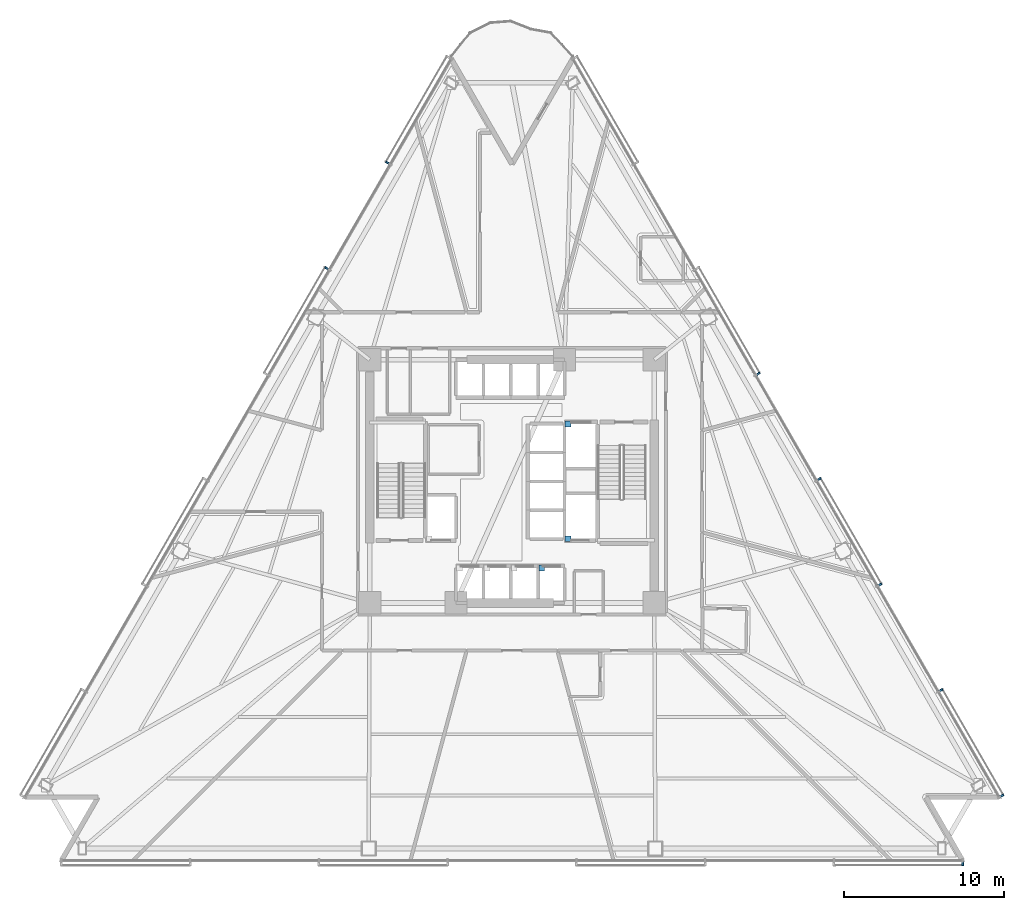
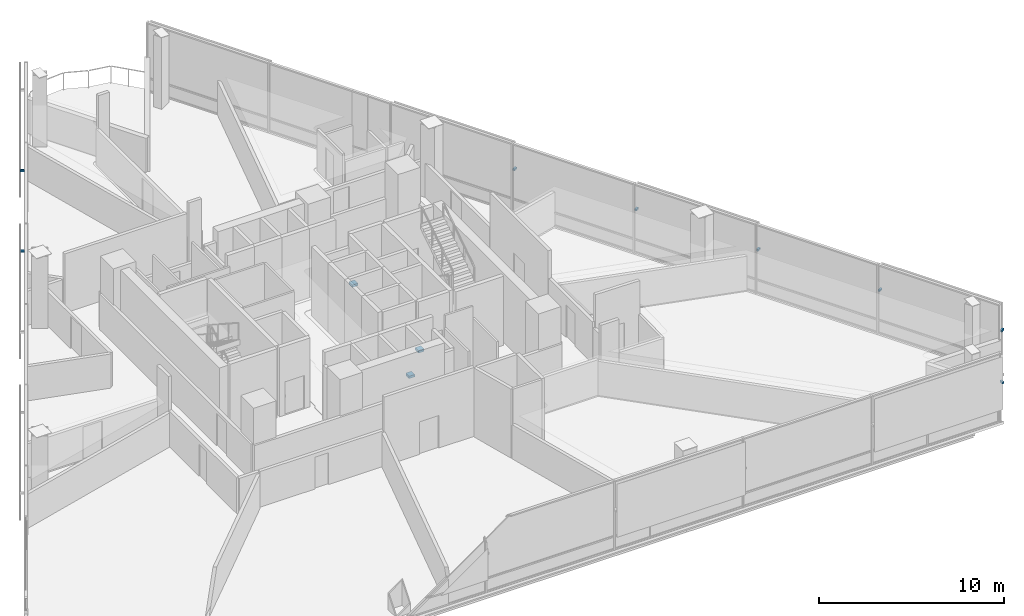
# One storey, part 12 of 17: 11 discrete accessories.
"""IFC4 building model written with IfcOpenShell, lengths in metres."""

from ifc_helpers import new_model, si_unit, direction, frame, origin, origin_2d, place, context, subcontext, project, spatial, rectangle, extrude, material, type_object, element, save


model = new_model("IFC4")

# Units and contexts
model_context = context("Model", 3, precision=1e-05, world=origin(), true_north=direction((0.0, 1.0)))
body_context = subcontext(model_context, "Body", "Model", "MODEL_VIEW")
ifc_project = project(units=[si_unit("LENGTHUNIT", "METRE"), si_unit("AREAUNIT", "SQUARE_METRE"), si_unit("VOLUMEUNIT", "CUBIC_METRE"), si_unit("PLANEANGLEUNIT", "RADIAN"), si_unit("MASSUNIT", "GRAM", prefix="KILO")], contexts=[model_context])

# Site, building, storey
site_placement = place(None, origin())
site = spatial("IfcSite", under=ifc_project, at=site_placement, CompositionType="ELEMENT")
building_placement = place(site_placement, origin())
building = spatial("IfcBuilding", under=site, at=building_placement, Name="Tharavind Bronze Gate", CompositionType="ELEMENT")
storey_placement = place(building_placement, frame((0.0, 0.0, 52.25)))
storey = spatial("IfcBuildingStorey", under=building, at=storey_placement, Name="L12", CompositionType="ELEMENT", Elevation=52.25)

# Discrete accessories
ifc_material_1 = material(Name="Galvanised Steel S355", Category="steel")
discrete_accessory_type_1 = type_object("IfcDiscreteAccessoryType", Name="LIFT GUIDE RAIL BRACKET", PredefinedType="BRACKET", material=ifc_material_1)
for number, where, z_axis, x_axis, name in (
    (1, (1.857421875, -5.419921875, 1.1201171875), (0.0, 0.0, 1.0), (1.0, 0.0, 0.0), "Lift PL4 guide rail bracket at L12"),
    (2, (3.5, 3.580078125, 1.1201171875), (0.0, 0.0, 1.0), (1.0, 0.0, 0.0), "Lift FFL2 guide rail bracket at L12"),
    (3, (3.5, -3.580078125, 1.1201171875), (0.0, 0.0, 1.0), (1.0, 0.0, 0.0), "Lift SVL1 guide rail bracket at L12"),
):
    element("IfcDiscreteAccessory", number, at=place(storey_placement, frame(where, z_axis=z_axis, x_axis=x_axis)), inside=storey, type_object=discrete_accessory_type_1, Name=name, PredefinedType="BRACKET", context=body_context, shape_type="SweptSolid", body=[
        extrude(rectangle(XDim=0.360107421875, YDim=0.360107421875, at=origin_2d()), origin(), (0.0, 0.0, 1.0), 0.159912109375),
    ])
ifc_material_2 = material(Name="Stainless Steel 316", Category="steel")
discrete_accessory_type_2 = type_object("IfcDiscreteAccessoryType", Name="SOLAR SCREEN STANDOFF BRACKET", PredefinedType="BRACKET", material=ifc_material_2)
for number, where, z_axis, x_axis, name in (
    (4, (-7.78125, 19.922607421875, 2.669921875), (0.0, 0.0, 1.0), (-0.500001511499, -0.866024531118, 0.0), "CW-L12-S1 solar screen bracket 1.2"),
    (5, (-11.589111328125, 13.326904296875, 2.669921875), (0.0, 0.0, 1.0), (-0.500001511499, -0.866024531118, 0.0), "CW-L12-S1 solar screen bracket 3.1"),
    (6, (28.17578125, -23.89990234375, 2.669921875), (0.0, 0.0, 1.0), (1.0, 0.0, 0.0), "CW-L12-S2 solar screen bracket 7.2"),
    (7, (30.62890625, -19.65087890625, 2.669921875), (0.0, 0.0, 1.0), (-0.500001511499, 0.866024531118, 0.0), "CW-L12-S3 solar screen bracket 1.1"),
    (8, (26.821044921875, -13.055419921875, 2.669921875), (0.0, 0.0, 1.0), (-0.500001511499, 0.866024531118, 0.0), "CW-L12-S3 solar screen bracket 1.2"),
    (9, (23.01318359375, -6.459716796875, 2.669921875), (0.0, 0.0, 1.0), (-0.500001511499, 0.866024531118, 0.0), "CW-L12-S3 solar screen bracket 3.1"),
    (10, (19.205078125, 0.135986328125, 2.669921875), (0.0, 0.0, 1.0), (-0.500001511499, 0.866024531118, 0.0), "CW-L12-S3 solar screen bracket 3.2"),
    (11, (15.397216796875, 6.7314453125, 2.669921875), (0.0, 0.0, 1.0), (-0.500001511499, 0.866024531118, 0.0), "CW-L12-S3 solar screen bracket 5.1"),
):
    element("IfcDiscreteAccessory", number, at=place(storey_placement, frame(where, z_axis=z_axis, x_axis=x_axis)), inside=storey, type_object=discrete_accessory_type_2, Name=name, PredefinedType="BRACKET", context=body_context, shape_type="SweptSolid", body=[
        extrude(rectangle(XDim=0.1201171875, YDim=0.239990234375, at=origin_2d()), origin(), (0.0, 0.0, 1.0), 0.1201171875),
    ])

save(model, "model.ifc")
